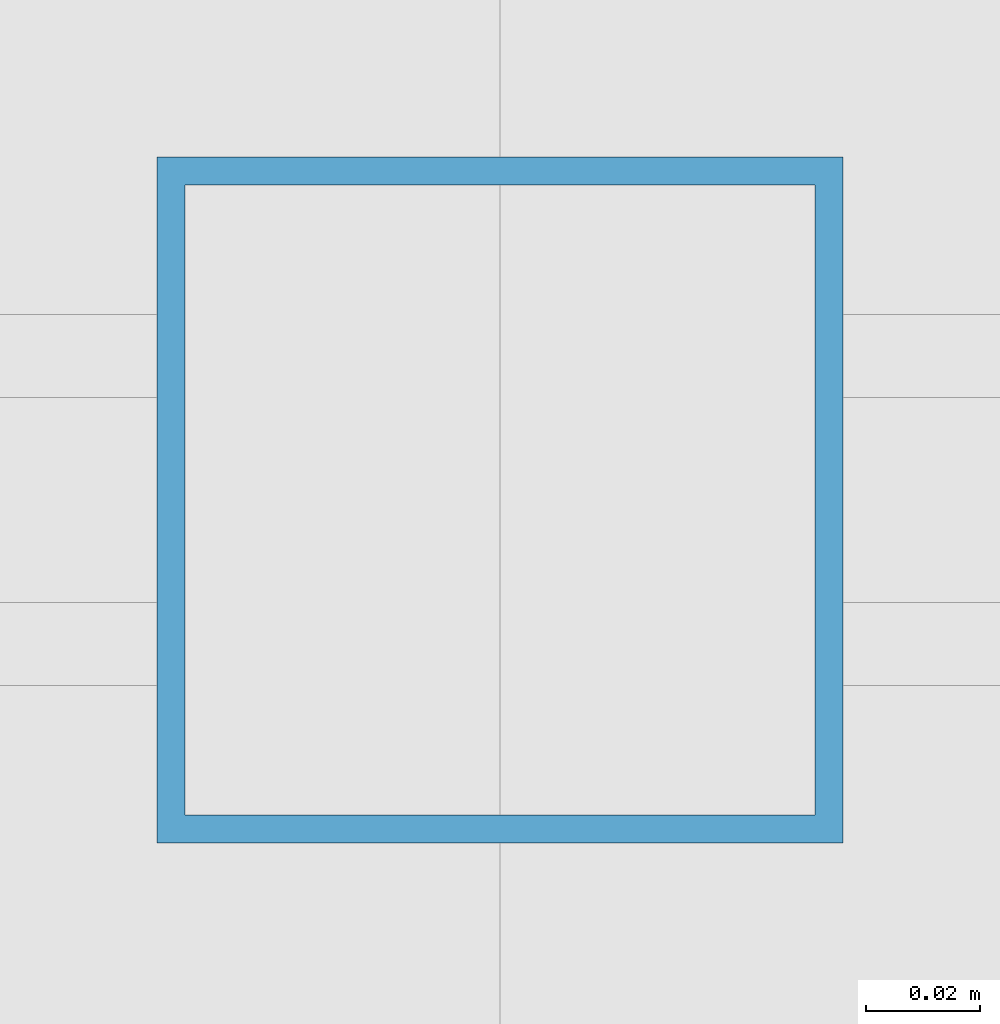
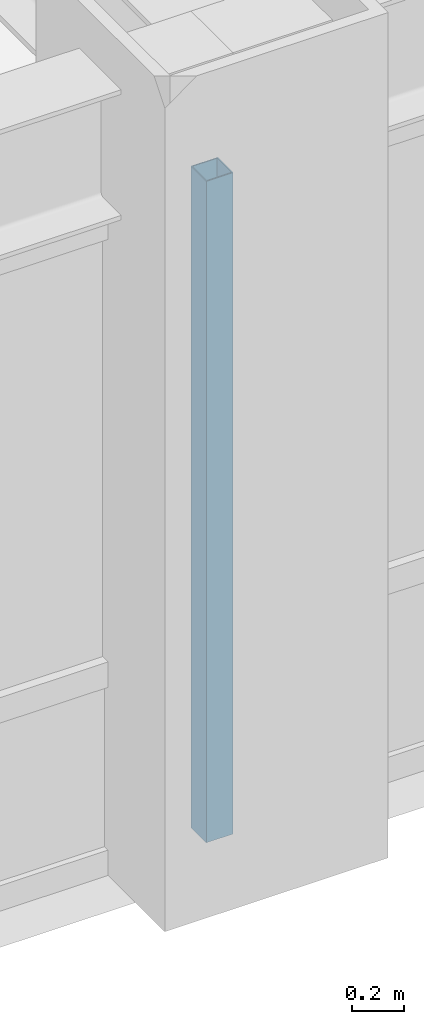
# One storey, part 4 of 25: 1 member, 1 element without a shape of its own.
"""IFC4 building model written with IfcOpenShell, lengths in metres."""

from ifc_helpers import new_model, si_unit, direction, frame, origin, origin_2d, place, context, subcontext, project, spatial, hollow_rectangle, extrude, source, transform, mapped, material, material_profile, profile_set, type_object, element, aggregate, save


model = new_model("IFC4")

# Units and contexts
model_context = context("Model", 3, precision=1e-05, world=origin(), true_north=direction((0.0, 1.0)))
body_context = subcontext(model_context, "Body", "Model", "MODEL_VIEW")
ifc_project = project(units=[si_unit("LENGTHUNIT", "METRE"), si_unit("AREAUNIT", "SQUARE_METRE"), si_unit("VOLUMEUNIT", "CUBIC_METRE"), si_unit("PLANEANGLEUNIT", "RADIAN"), si_unit("MASSUNIT", "GRAM", prefix="KILO")], contexts=[model_context])

# Site, building, storey
site_placement = place(None, origin())
site = spatial("IfcSite", under=ifc_project, at=site_placement, CompositionType="ELEMENT")
building_placement = place(site_placement, origin())
building = spatial("IfcBuilding", under=site, at=building_placement, Name="Khorayat Bourse Tower", CompositionType="ELEMENT")
storey_placement = place(building_placement, frame((0.0, 0.0, 231.10009765625)))
storey = spatial("IfcBuildingStorey", under=building, at=storey_placement, Name="L54", CompositionType="ELEMENT", Elevation=231.10009765625)

# Curtain wall, member
ifc_material = material(Name="Aluminium EN AW-6063 T6", Category="aluminium")
curtain_wall_type = type_object("IfcCurtainWallType", Name="CW-SYS-03", PredefinedType="NOTDEFINED", material=ifc_material)
curtain_wall_placement = place(storey_placement, origin())
curtain_wall = element("IfcCurtainWall", 1, at=curtain_wall_placement, inside=storey, type_object=curtain_wall_type, Name="L54 Curtain Wall CW-L54-S1", PredefinedType="NOTDEFINED")
ifc_material_profile = material_profile(ifc_material, hollow_rectangle(XDim=0.1201171875, YDim=0.1201171875, WallThickness=0.0048828125, at=origin_2d()), Name="ALU 120x120x5")
ifc_profile_set = profile_set([ifc_material_profile], Name="Aluminium EN AW-6063 T6")
member_type = type_object("IfcMemberType", Name="CWM-VERT-120", PredefinedType="MULLION", material=ifc_profile_set)
shared_shape = source(origin(), body_context, "Body", "SweptSolid", [
    extrude(hollow_rectangle(XDim=0.1201171875, YDim=0.1201171875, WallThickness=0.0048828125, at=origin_2d()), origin(), (0.0, 0.0, 1.0), 3.1298828125),
])
member_placement = place(storey_placement, frame((0.0, -30.0, 0.0), z_axis=(0.0, 0.0, 1.0), x_axis=(0.0, 1.0, 0.0)))
member = element("IfcMember", 2, at=member_placement, type_object=member_type, Name="CW-L54-S1 Vertical Mullion 2", PredefinedType="MULLION", context=body_context, shape_type="MappedRepresentation", body=[
    mapped(shared_shape, transform((0.0, 0.0, 0.0), scale=1.0)),
])
aggregate(curtain_wall, [member])

save(model, "model.ifc")
